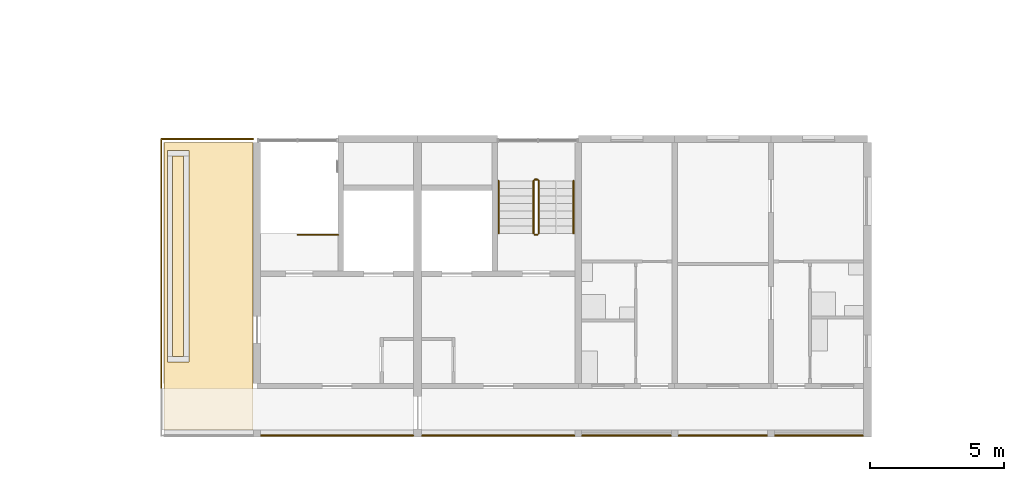
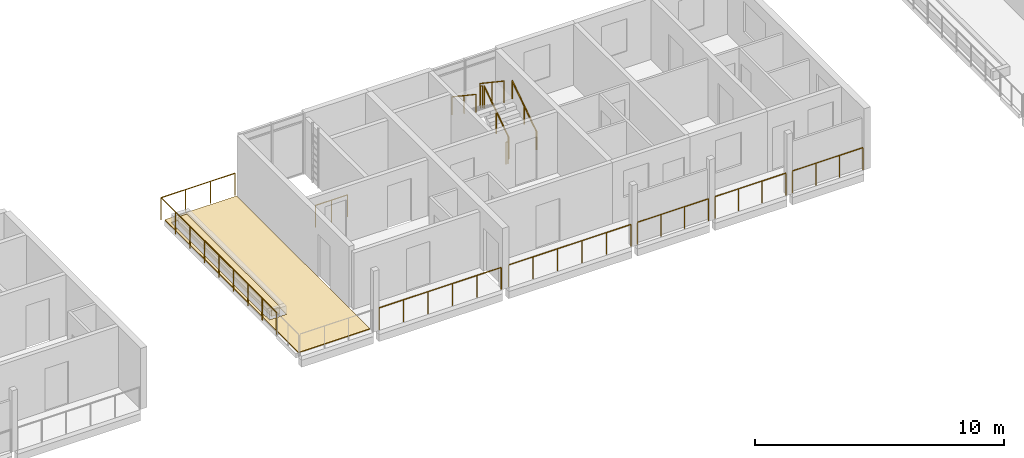
# One storey, part 44 of 55: 13 railings, 3 coverings.
"""IFC4 building model written with IfcOpenShell, lengths in metres."""

from ifc_helpers import new_model, si_unit, direction, frame, origin, origin_2d, place, context, subcontext, project, spatial, polyline, circle, outline, extrude, material, layer, layer_set, type_object, element, save


model = new_model("IFC4")

# Units and contexts
model_context = context("Model", 3, precision=1e-05, world=origin(), true_north=direction((0.0, 1.0)))
body_context = subcontext(model_context, "Body", "Model", "MODEL_VIEW")
ifc_project = project(units=[si_unit("LENGTHUNIT", "METRE"), si_unit("AREAUNIT", "SQUARE_METRE"), si_unit("VOLUMEUNIT", "CUBIC_METRE"), si_unit("PLANEANGLEUNIT", "RADIAN"), si_unit("MASSUNIT", "GRAM", prefix="KILO")], contexts=[model_context])

# Site, building, storey
site_placement = place(None, origin())
site = spatial("IfcSite", under=ifc_project, at=site_placement, CompositionType="ELEMENT")
building_placement = place(site_placement, origin())
building = spatial("IfcBuilding", under=site, at=building_placement, Name="Ridgestep Commons", CompositionType="ELEMENT")
storey_placement = place(building_placement, frame((0.0, 0.0, 36.0)))
storey = spatial("IfcBuildingStorey", under=building, at=storey_placement, Name="L12", CompositionType="ELEMENT", Elevation=36.0)

# Railings
ifc_material_1 = material(Name="Structural steel S355JR", Category="steel")
railing_type_1 = type_object("IfcRailingType", Name="Guard 1100", PredefinedType="GUARDRAIL", material=ifc_material_1)
railing_1_placement = place(storey_placement, frame((36.02099609375, 13.571044921875, 0.0)))
element("IfcRailing", 1, at=railing_1_placement, inside=storey, type_object=railing_type_1, Name="Guard TD-A2R3-GD", PredefinedType="GUARDRAIL", context=body_context, shape_type="SweptSolid", body=[
    extrude(circle(Radius=0.02392578125, at=origin_2d()), frame((0.0, 0.0, 1.076171875), z_axis=(0.0, 1.0, 0.0), x_axis=(-1.0, 0.0, 0.0)), (0.0, 0.0, 1.0), 9.303955078125),
    extrude(circle(Radius=0.02392578125, at=origin_2d()), frame((0.0, 9.303955078125, 1.076171875), z_axis=(1.0, 0.0, 0.0), x_axis=(0.0, 1.0, 0.0)), (0.0, 0.0, 1.0), 3.43310546875),
    extrude(circle(Radius=0.02099609375, at=origin_2d()), origin(), (0.0, 0.0, 1.0), 1.052001953125),
    extrude(circle(Radius=0.02099609375, at=origin_2d()), frame((0.0, 1.1630859375, 0.0)), (0.0, 0.0, 1.0), 1.052001953125),
    extrude(circle(Radius=0.02099609375, at=origin_2d()), frame((0.0, 2.325927734375, 0.0)), (0.0, 0.0, 1.0), 1.052001953125),
    extrude(circle(Radius=0.02099609375, at=origin_2d()), frame((0.0, 3.489013671875, 0.0)), (0.0, 0.0, 1.0), 1.052001953125),
    extrude(circle(Radius=0.02099609375, at=origin_2d()), frame((0.0, 4.65185546875, 0.0)), (0.0, 0.0, 1.0), 1.052001953125),
    extrude(circle(Radius=0.02099609375, at=origin_2d()), frame((0.0, 5.81494140625, 0.0)), (0.0, 0.0, 1.0), 1.052001953125),
    extrude(circle(Radius=0.02099609375, at=origin_2d()), frame((0.0, 6.97802734375, 0.0)), (0.0, 0.0, 1.0), 1.052001953125),
    extrude(circle(Radius=0.02099609375, at=origin_2d()), frame((0.0, 8.140869140625, 0.0)), (0.0, 0.0, 1.0), 1.052001953125),
    extrude(circle(Radius=0.02099609375, at=origin_2d()), frame((0.0, 9.303955078125, 0.0)), (0.0, 0.0, 1.0), 1.052001953125),
    extrude(circle(Radius=0.02099609375, at=origin_2d()), frame((1.144287109375, 9.303955078125, 0.0)), (0.0, 0.0, 1.0), 1.052001953125),
    extrude(circle(Radius=0.02099609375, at=origin_2d()), frame((2.288818359375, 9.303955078125, 0.0)), (0.0, 0.0, 1.0), 1.052001953125),
    extrude(circle(Radius=0.02099609375, at=origin_2d()), frame((3.43310546875, 9.303955078125, 0.0)), (0.0, 0.0, 1.0), 1.052001953125),
])
railing_2_placement = place(storey_placement, frame((39.74609375, 11.800048828125, 0.0)))
element("IfcRailing", 2, at=railing_2_placement, inside=storey, type_object=railing_type_1, Name="Gallery guard A 12.2", PredefinedType="GUARDRAIL", context=body_context, shape_type="SweptSolid", body=[
    extrude(circle(Radius=0.02392578125, at=origin_2d()), frame((0.0, 0.0, 1.076171875), z_axis=(1.0, 0.0, 0.0), x_axis=(0.0, 1.0, 0.0)), (0.0, 0.0, 1.0), 5.682861328125),
    extrude(circle(Radius=0.02099609375, at=origin_2d()), origin(), (0.0, 0.0, 1.0), 1.052001953125),
    extrude(circle(Radius=0.02099609375, at=origin_2d()), frame((1.136474609375, 0.0, 0.0)), (0.0, 0.0, 1.0), 1.052001953125),
    extrude(circle(Radius=0.02099609375, at=origin_2d()), frame((2.273193359375, 0.0, 0.0)), (0.0, 0.0, 1.0), 1.052001953125),
    extrude(circle(Radius=0.02099609375, at=origin_2d()), frame((3.40966796875, 0.0, 0.0)), (0.0, 0.0, 1.0), 1.052001953125),
    extrude(circle(Radius=0.02099609375, at=origin_2d()), frame((4.54638671875, 0.0, 0.0)), (0.0, 0.0, 1.0), 1.052001953125),
    extrude(circle(Radius=0.02099609375, at=origin_2d()), frame((5.682861328125, 0.0, 0.0)), (0.0, 0.0, 1.0), 1.052001953125),
])
railing_3_placement = place(storey_placement, frame((45.77099609375, 11.800048828125, 0.0)))
element("IfcRailing", 3, at=railing_3_placement, inside=storey, type_object=railing_type_1, Name="Gallery guard A 12.3", PredefinedType="GUARDRAIL", context=body_context, shape_type="SweptSolid", body=[
    extrude(circle(Radius=0.02392578125, at=origin_2d()), frame((0.0, 0.0, 1.076171875), z_axis=(1.0, 0.0, 0.0), x_axis=(0.0, 1.0, 0.0)), (0.0, 0.0, 1.0), 5.68310546875),
    extrude(circle(Radius=0.02099609375, at=origin_2d()), origin(), (0.0, 0.0, 1.0), 1.052001953125),
    extrude(circle(Radius=0.02099609375, at=origin_2d()), frame((1.13671875, 0.0, 0.0)), (0.0, 0.0, 1.0), 1.052001953125),
    extrude(circle(Radius=0.02099609375, at=origin_2d()), frame((2.273193359375, 0.0, 0.0)), (0.0, 0.0, 1.0), 1.052001953125),
    extrude(circle(Radius=0.02099609375, at=origin_2d()), frame((3.409912109375, 0.0, 0.0)), (0.0, 0.0, 1.0), 1.052001953125),
    extrude(circle(Radius=0.02099609375, at=origin_2d()), frame((4.54638671875, 0.0, 0.0)), (0.0, 0.0, 1.0), 1.052001953125),
    extrude(circle(Radius=0.02099609375, at=origin_2d()), frame((5.68310546875, 0.0, 0.0)), (0.0, 0.0, 1.0), 1.052001953125),
])
railing_4_placement = place(storey_placement, frame((51.74609375, 11.800048828125, 0.0)))
element("IfcRailing", 4, at=railing_4_placement, inside=storey, type_object=railing_type_1, Name="Gallery guard A 12.4", PredefinedType="GUARDRAIL", context=body_context, shape_type="SweptSolid", body=[
    extrude(circle(Radius=0.02392578125, at=origin_2d()), frame((0.0, 0.0, 1.076171875), z_axis=(1.0, 0.0, 0.0), x_axis=(0.0, 1.0, 0.0)), (0.0, 0.0, 1.0), 3.307861328125),
    extrude(circle(Radius=0.02099609375, at=origin_2d()), origin(), (0.0, 0.0, 1.0), 1.052001953125),
    extrude(circle(Radius=0.02099609375, at=origin_2d()), frame((1.1025390625, 0.0, 0.0)), (0.0, 0.0, 1.0), 1.052001953125),
    extrude(circle(Radius=0.02099609375, at=origin_2d()), frame((2.205322265625, 0.0, 0.0)), (0.0, 0.0, 1.0), 1.052001953125),
    extrude(circle(Radius=0.02099609375, at=origin_2d()), frame((3.307861328125, 0.0, 0.0)), (0.0, 0.0, 1.0), 1.052001953125),
])
railing_5_placement = place(storey_placement, frame((55.345947265625, 11.800048828125, 0.0)))
element("IfcRailing", 5, at=railing_5_placement, inside=storey, type_object=railing_type_1, Name="Gallery guard A 12.5", PredefinedType="GUARDRAIL", context=body_context, shape_type="SweptSolid", body=[
    extrude(circle(Radius=0.02392578125, at=origin_2d()), frame((0.0, 0.0, 1.076171875), z_axis=(1.0, 0.0, 0.0), x_axis=(0.0, 1.0, 0.0)), (0.0, 0.0, 1.0), 3.30810546875),
    extrude(circle(Radius=0.02099609375, at=origin_2d()), origin(), (0.0, 0.0, 1.0), 1.052001953125),
    extrude(circle(Radius=0.02099609375, at=origin_2d()), frame((1.102783203125, 0.0, 0.0)), (0.0, 0.0, 1.0), 1.052001953125),
    extrude(circle(Radius=0.02099609375, at=origin_2d()), frame((2.205322265625, 0.0, 0.0)), (0.0, 0.0, 1.0), 1.052001953125),
    extrude(circle(Radius=0.02099609375, at=origin_2d()), frame((3.30810546875, 0.0, 0.0)), (0.0, 0.0, 1.0), 1.052001953125),
])
railing_6_placement = place(storey_placement, frame((58.946044921875, 11.800048828125, 0.0)))
element("IfcRailing", 6, at=railing_6_placement, inside=storey, type_object=railing_type_1, Name="Gallery guard A 12.6", PredefinedType="GUARDRAIL", context=body_context, shape_type="SweptSolid", body=[
    extrude(circle(Radius=0.02392578125, at=origin_2d()), frame((0.0, 0.0, 1.076171875), z_axis=(1.0, 0.0, 0.0), x_axis=(0.0, 1.0, 0.0)), (0.0, 0.0, 1.0), 3.282958984375),
    extrude(circle(Radius=0.02099609375, at=origin_2d()), origin(), (0.0, 0.0, 1.0), 1.052001953125),
    extrude(circle(Radius=0.02099609375, at=origin_2d()), frame((1.09423828125, 0.0, 0.0)), (0.0, 0.0, 1.0), 1.052001953125),
    extrude(circle(Radius=0.02099609375, at=origin_2d()), frame((2.188720703125, 0.0, 0.0)), (0.0, 0.0, 1.0), 1.052001953125),
    extrude(circle(Radius=0.02099609375, at=origin_2d()), frame((3.282958984375, 0.0, 0.0)), (0.0, 0.0, 1.0), 1.052001953125),
])

# Covering
ifc_material_2 = material(Name="Planting soil")
ifc_layer_1 = layer(ifc_material_2, 0.35009765625)
ifc_layer_set_1 = layer_set([ifc_layer_1], Name="Planting soil 350")
covering_type_1 = type_object("IfcCoveringType", Name="Planting soil 350", PredefinedType="FLOORING", material=ifc_layer_set_1)
covering_1_placement = place(storey_placement, frame((0.0, 0.0, 0.010009765625)))
element("IfcCovering", 7, at=covering_1_placement, inside=storey, type_object=covering_type_1, Name="Planting soil A2R3", PredefinedType="FLOORING", context=body_context, shape_type="SweptSolid", body=[
    extrude(outline(polyline([(36.449951171875, 14.75), (36.85009765625, 14.75), (36.85009765625, 22.25), (36.449951171875, 22.25), (36.449951171875, 14.75)])), origin(), (0.0, 0.0, 1.0), 0.35009765625),
])

# Railings
ifc_material_3 = material(Name="Structural steel S355JR", Category="steel")
railing_type_2 = type_object("IfcRailingType", Name="Stair guard 1100", PredefinedType="GUARDRAIL", material=ifc_material_3)
railing_7_placement = place(storey_placement, frame((42.625, 19.300048828125, 0.0)))
element("IfcRailing", 8, at=railing_7_placement, inside=storey, type_object=railing_type_2, Name="L12 A2C top well guard 1", PredefinedType="GUARDRAIL", context=body_context, shape_type="SweptSolid", body=[
    extrude(circle(Radius=0.02392578125, at=origin_2d()), frame((0.0, 0.0, 1.076171875), z_axis=(-1.0, 0.0, 0.0), x_axis=(0.0, -1.0, 0.0)), (0.0, 0.0, 1.0), 1.5),
    extrude(circle(Radius=0.02099609375, at=origin_2d()), origin(), (0.0, 0.0, 1.0), 1.052001953125),
    extrude(circle(Radius=0.02099609375, at=origin_2d()), frame((-0.75, 0.0, 0.0)), (0.0, 0.0, 1.0), 1.052001953125),
    extrude(circle(Radius=0.02099609375, at=origin_2d()), frame((-1.5, 0.0, 0.0)), (0.0, 0.0, 1.0), 1.052001953125),
])
railing_8_placement = place(storey_placement, frame((50.125, 19.35009765625, 0.1875)))
element("IfcRailing", 9, at=railing_8_placement, inside=storey, type_object=railing_type_2, Name="L12 A3C stair guard 1", PredefinedType="GUARDRAIL", context=body_context, shape_type="SweptSolid", body=[
    extrude(circle(Radius=0.02392578125, at=origin_2d()), frame((0.0, 0.0, 1.076171875), z_axis=(0.0, 0.830902050051, 0.556418712142), x_axis=(-1.0, 0.0, 0.0)), (0.0, 0.0, 1.0), 2.35888671875),
    extrude(circle(Radius=0.02099609375, at=origin_2d()), origin(), (0.0, 0.0, 1.0), 1.052001953125),
    extrude(circle(Radius=0.02099609375, at=origin_2d()), frame((0.0, 0.97998046875, 0.65625)), (0.0, 0.0, 1.0), 1.052001953125),
    extrude(circle(Radius=0.02099609375, at=origin_2d()), frame((0.0, 1.9599609375, 1.3125)), (0.0, 0.0, 1.0), 1.052001953125),
])
railing_9_placement = place(storey_placement, frame((50.074951171875, 21.360107421875, 1.5)))
element("IfcRailing", 10, at=railing_9_placement, inside=storey, type_object=railing_type_2, Name="L12 A3C stair guard 2", PredefinedType="GUARDRAIL", context=body_context, shape_type="SweptSolid", body=[
    extrude(circle(Radius=0.02392578125, at=origin_2d()), frame((0.0, 0.0, 1.076171875), z_axis=(-1.0, 0.0, 0.0), x_axis=(0.0, -1.0, 0.0)), (0.0, 0.0, 1.0), 0.099853515625),
    extrude(circle(Radius=0.02099609375, at=origin_2d()), origin(), (0.0, 0.0, 1.0), 1.052001953125),
    extrude(circle(Radius=0.02099609375, at=origin_2d()), frame((-0.099853515625, 0.0, 0.0)), (0.0, 0.0, 1.0), 1.052001953125),
])
railing_10_placement = place(storey_placement, frame((49.925048828125, 21.31005859375, 1.6875)))
element("IfcRailing", 11, at=railing_10_placement, inside=storey, type_object=railing_type_2, Name="L12 A3C stair guard 3", PredefinedType="GUARDRAIL", context=body_context, shape_type="SweptSolid", body=[
    extrude(circle(Radius=0.02392578125, at=origin_2d()), frame((0.0, 0.0, 1.076171875), z_axis=(0.0, -0.830902050051, 0.556418712142), x_axis=(1.0, 0.0, 0.0)), (0.0, 0.0, 1.0), 2.35888671875),
    extrude(circle(Radius=0.02099609375, at=origin_2d()), origin(), (0.0, 0.0, 1.0), 1.052001953125),
    extrude(circle(Radius=0.02099609375, at=origin_2d()), frame((0.0, -0.97998046875, 0.65625)), (0.0, 0.0, 1.0), 1.052001953125),
    extrude(circle(Radius=0.02099609375, at=origin_2d()), frame((0.0, -1.9599609375, 1.3125)), (0.0, 0.0, 1.0), 1.052001953125),
])
railing_11_placement = place(storey_placement, frame((50.074951171875, 19.300048828125, 0.0)))
element("IfcRailing", 12, at=railing_11_placement, inside=storey, type_object=railing_type_2, Name="L12 A3C stair guard 4", PredefinedType="GUARDRAIL", context=body_context, shape_type="SweptSolid", body=[
    extrude(circle(Radius=0.02392578125, at=origin_2d()), frame((0.0, 0.0, 1.076171875), z_axis=(-1.0, 0.0, 0.0), x_axis=(0.0, -1.0, 0.0)), (0.0, 0.0, 1.0), 0.099853515625),
    extrude(circle(Radius=0.02099609375, at=origin_2d()), origin(), (0.0, 0.0, 1.0), 1.052001953125),
    extrude(circle(Radius=0.02099609375, at=origin_2d()), frame((-0.099853515625, 0.0, 0.0)), (0.0, 0.0, 1.0), 1.052001953125),
])
ifc_material_4 = material(Name="Structural steel S355JR", Category="steel")
railing_type_3 = type_object("IfcRailingType", Name="Stair handrail 900", PredefinedType="HANDRAIL", material=ifc_material_4)
railing_12_placement = place(storey_placement, frame((51.425048828125, 19.35009765625, 0.1875)))
element("IfcRailing", 13, at=railing_12_placement, inside=storey, type_object=railing_type_3, Name="L12 A3C stair handrail 1", PredefinedType="HANDRAIL", context=body_context, shape_type="SweptSolid", body=[
    extrude(circle(Radius=0.02392578125, at=origin_2d()), frame((0.0, 0.0, 0.8759765625), z_axis=(0.0, 0.830902050051, 0.556418712142), x_axis=(-1.0, 0.0, 0.0)), (0.0, 0.0, 1.0), 2.35888671875),
    extrude(circle(Radius=0.02099609375, at=origin_2d()), origin(), (0.0, 0.0, 1.0), 0.851806640625),
    extrude(circle(Radius=0.02099609375, at=origin_2d()), frame((0.0, 0.97998046875, 0.65625)), (0.0, 0.0, 1.0), 0.851806640625),
    extrude(circle(Radius=0.02099609375, at=origin_2d()), frame((0.0, 1.9599609375, 1.3125)), (0.0, 0.0, 1.0), 0.851806640625),
])
railing_13_placement = place(storey_placement, frame((48.625, 21.31005859375, 1.6875)))
element("IfcRailing", 14, at=railing_13_placement, inside=storey, type_object=railing_type_3, Name="L12 A3C stair handrail 2", PredefinedType="HANDRAIL", context=body_context, shape_type="SweptSolid", body=[
    extrude(circle(Radius=0.02392578125, at=origin_2d()), frame((0.0, 0.0, 0.8759765625), z_axis=(0.0, -0.830902050051, 0.556418712142), x_axis=(1.0, 0.0, 0.0)), (0.0, 0.0, 1.0), 2.35888671875),
    extrude(circle(Radius=0.02099609375, at=origin_2d()), origin(), (0.0, 0.0, 1.0), 0.851806640625),
    extrude(circle(Radius=0.02099609375, at=origin_2d()), frame((0.0, -0.97998046875, 0.65625)), (0.0, 0.0, 1.0), 0.851806640625),
    extrude(circle(Radius=0.02099609375, at=origin_2d()), frame((0.0, -1.9599609375, 1.3125)), (0.0, 0.0, 1.0), 0.851806640625),
])

# Coverings
ifc_material_5 = material(Name="Bitumen membrane, two layer")
ifc_layer_2 = layer(ifc_material_5, 0.010009765625)
ifc_layer_set_2 = layer_set([ifc_layer_2], Name="Terrace membrane 10")
covering_type_2 = type_object("IfcCoveringType", Name="Terrace membrane 10", PredefinedType="ROOFING", material=ifc_layer_set_2)
covering_2_placement = place(storey_placement, origin())
element("IfcCovering", 15, at=covering_2_placement, inside=storey, type_object=covering_type_2, Name="Terrace membrane A2R3", PredefinedType="ROOFING", context=body_context, shape_type="SweptSolid", body=[
    extrude(outline(polyline([(39.449951171875, 12.0), (39.449951171875, 22.75), (36.125, 22.75), (36.125, 12.0), (39.449951171875, 12.0)]), holes=[polyline([(37.050048828125, 14.550048828125), (37.050048828125, 22.449951171875), (36.25, 22.449951171875), (36.25, 14.550048828125), (37.050048828125, 14.550048828125)])]), origin(), (0.0, 0.0, 1.0), 0.010009765625),
])
ifc_material_6 = material(Name="Concrete paving slab", Category="concrete")
ifc_layer_3 = layer(ifc_material_6, 0.030029296875)
ifc_layer_set_3 = layer_set([ifc_layer_3], Name="Terrace paving 30")
covering_type_3 = type_object("IfcCoveringType", Name="Terrace paving 30", PredefinedType="FLOORING", material=ifc_layer_set_3)
covering_3_placement = place(storey_placement, frame((0.0, 0.0, 0.010009765625)))
element("IfcCovering", 16, at=covering_3_placement, inside=storey, type_object=covering_type_3, Name="Terrace paving A2R3", PredefinedType="FLOORING", context=body_context, shape_type="SweptSolid", body=[
    extrude(outline(polyline([(39.449951171875, 12.0), (39.449951171875, 22.75), (36.125, 22.75), (36.125, 12.0), (39.449951171875, 12.0)]), holes=[polyline([(37.050048828125, 14.550048828125), (37.050048828125, 22.449951171875), (36.25, 22.449951171875), (36.25, 14.550048828125), (37.050048828125, 14.550048828125)])]), origin(), (0.0, 0.0, 1.0), 0.030029296875),
])

save(model, "model.ifc")
